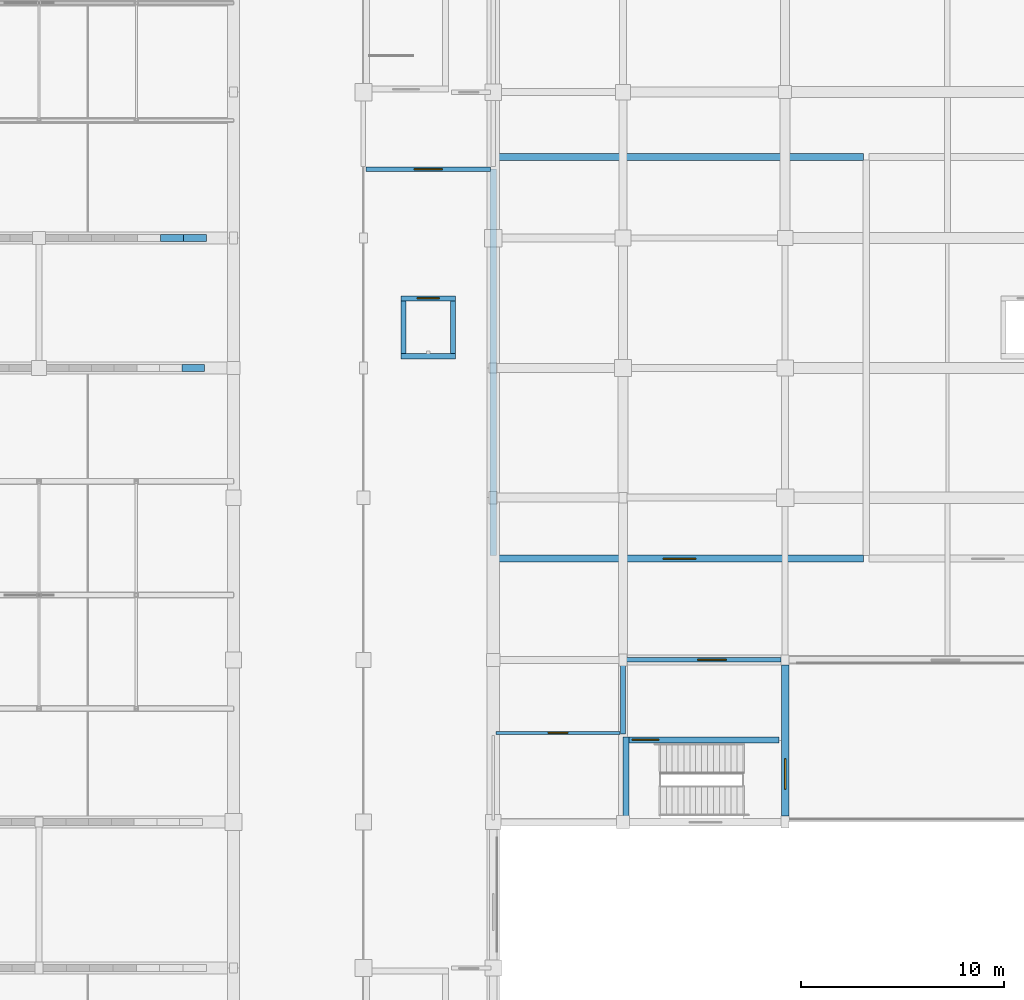
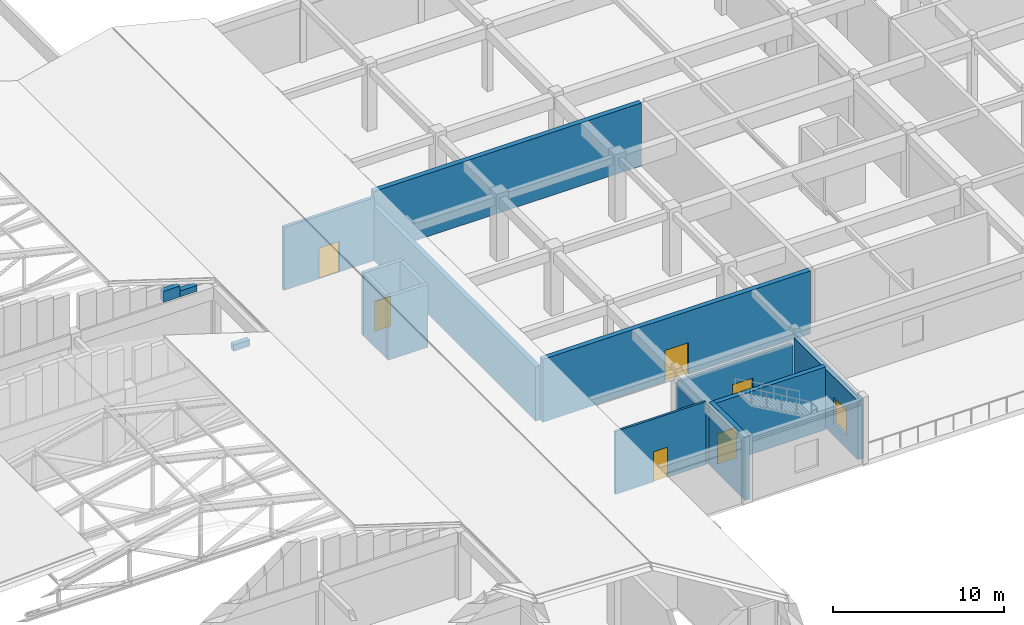
# One storey, part 46 of 61: 17 walls, 6 doors, 1 window, 7 openings.
"""IFC4 building model written with IfcOpenShell, lengths in metres."""

from ifc_helpers import new_model, si_unit, direction, frame, frame_2d, origin, place, context, subcontext, project, spatial, rectangle, extrude, material, layer, layer_set, type_object, element, fill, save


model = new_model("IFC4")

# Units and contexts
model_context = context("Model", 3, precision=1e-05, world=origin(), true_north=direction((0.0, 1.0)))
body_context = subcontext(model_context, "Body", "Model", "MODEL_VIEW")
ifc_project = project(units=[si_unit("LENGTHUNIT", "METRE"), si_unit("AREAUNIT", "SQUARE_METRE"), si_unit("VOLUMEUNIT", "CUBIC_METRE"), si_unit("PLANEANGLEUNIT", "RADIAN"), si_unit("MASSUNIT", "GRAM", prefix="KILO")], contexts=[model_context])

# Site, building, storey
site_placement = place(None, origin())
site = spatial("IfcSite", under=ifc_project, at=site_placement, CompositionType="ELEMENT")
building_placement = place(site_placement, origin())
building = spatial("IfcBuilding", under=site, at=building_placement, Name="Vellmiral Cinema and Media Centre", CompositionType="ELEMENT")
storey_placement = place(building_placement, frame((0.0, 0.0, 10.800048828125)))
storey = spatial("IfcBuildingStorey", under=building, at=storey_placement, Name="L02", CompositionType="ELEMENT", Elevation=10.800048828125)

# Wall, opening, door
ifc_material_1 = material(Name="Calcium-Silicate Masonry Blockwork", Category="masonry")
ifc_layer_1 = layer(ifc_material_1, 0.1201171875, Name="Calcium-Silicate Masonry Blockwork", Category="masonry")
ifc_material_2 = material(Name="Mineral Wool Acoustic Insulation", Category="insulation")
ifc_layer_2 = layer(ifc_material_2, 0.090087890625, Name="Mineral Wool Acoustic Insulation", Category="insulation")
ifc_layer_3 = layer(ifc_material_1, 0.1201171875, Name="Calcium-Silicate Masonry Blockwork", Category="masonry")
ifc_layer_set_1 = layer_set([ifc_layer_1, ifc_layer_2, ifc_layer_3], Name="Calcium-Silicate Masonry Blockwork")
wall_type_1 = type_object("IfcWallType", Name="WL-AC-330", PredefinedType="SOLIDWALL", material=ifc_layer_set_1)
wall_1_placement = place(storey_placement, frame((48.139892578125, 56.199951171875, 0.0), z_axis=(0.0, 0.0, 1.0), x_axis=(1.0, 0.0, 0.0)))
wall_1 = element("IfcWall", 1, at=wall_1_placement, inside=storey, type_object=wall_type_1, Name="Recording Studio 1 Wall S", PredefinedType="SOLIDWALL", context=body_context, shape_type="SweptSolid", body=[
    extrude(rectangle(XDim=18.1201171875, YDim=0.330078125, at=frame_2d((9.06005859375, 0.0))), origin(), (0.0, 0.0, 1.0), 4.5),
])
opening_1_placement = place(wall_1_placement, frame((8.260009765625, 0.0, 0.0)))
opening_1 = element("IfcOpeningElement", 2, at=opening_1_placement, cuts=wall_1, Name="Opening D-AC2", PredefinedType="OPENING", context=body_context, shape_type="SweptSolid", body=[
    extrude(rectangle(XDim=1.60009765625, YDim=2.25, at=frame_2d((0.800048828125, 1.125))), frame((0.0, 0.177001953125, 0.0), z_axis=(0.0, -1.0, 0.0), x_axis=(1.0, 0.0, 0.0)), (0.0, 0.0, 1.0), 0.35400390625),
])
ifc_material_3 = material(Name="Acoustic Cinema Door", Category="steel")
door_type_1 = type_object("IfcDoorType", Name="DR-AC-1600x2250", OperationType="DOUBLE_DOOR_SINGLE_SWING", PredefinedType="DOOR", material=ifc_material_3)
door_1_placement = place(opening_1_placement, frame((1.60009765625, 0.0, 0.0), z_axis=(0.0, 0.0, 1.0), x_axis=(-1.0, 0.0, 0.0)))
door_1 = element("IfcDoor", 3, at=door_1_placement, inside=storey, type_object=door_type_1, Name="Recording Studio 1 Door", OperationType="DOUBLE_DOOR_SINGLE_SWING", OverallHeight=2.25, OverallWidth=1.60009765625, PredefinedType="DOOR", context=body_context, shape_type="SweptSolid", body=[
    extrude(rectangle(XDim=1.60009765625, YDim=2.25, at=frame_2d((0.800048828125, 1.125))), frame((0.0, 0.02490234375, 0.0), z_axis=(0.0, -1.0, 0.0), x_axis=(1.0, 0.0, 0.0)), (0.0, 0.0, 1.0), 0.050048828125),
])
fill(opening_1, door_1)

# Walls
wall_2_placement = place(storey_placement, frame((48.139892578125, 76.0, 0.0), z_axis=(0.0, 0.0, 1.0), x_axis=(1.0, 0.0, 0.0)))
element("IfcWall", 4, at=wall_2_placement, inside=storey, type_object=wall_type_1, Name="Recording Studio 1 Wall N", PredefinedType="SOLIDWALL", context=body_context, shape_type="SweptSolid", body=[
    extrude(rectangle(XDim=18.1201171875, YDim=0.330078125, at=frame_2d((9.06005859375, 0.0))), origin(), (0.0, 0.0, 1.0), 4.5),
])
wall_3_placement = place(storey_placement, frame((48.0, 56.340087890625, 0.0), z_axis=(0.0, 0.0, 1.0), x_axis=(0.0, 1.0, 0.0)))
element("IfcWall", 5, at=wall_3_placement, inside=storey, type_object=wall_type_1, Name="Recording Studio 1 Wall W", PredefinedType="SOLIDWALL", context=body_context, shape_type="SweptSolid", body=[
    extrude(rectangle(XDim=19.059814453125, YDim=0.330078125, at=frame_2d((9.52978515625, 0.0))), origin(), (0.0, 0.0, 1.0), 3.89990234375),
])
ifc_material_4 = material(Name="Concrete C40/50", Category="concrete")
ifc_layer_4 = layer(ifc_material_4, 0.300048828125, Name="Concrete C40/50")
ifc_layer_set_2 = layer_set([ifc_layer_4], Name="Concrete C40/50")
wall_type_2 = type_object("IfcWallType", Name="WL-CORE-300", PredefinedType="SHEAR", material=ifc_layer_set_2)
wall_4_placement = place(storey_placement, frame((54.550048828125, 43.199951171875, 0.0), z_axis=(0.0, 0.0, 1.0), x_axis=(0.0, 1.0, 0.0)))
element("IfcWall", 6, at=wall_4_placement, inside=storey, type_object=wall_type_2, Name="Stair Core Wall ST-P3 L02-W", PredefinedType="SHEAR", context=body_context, shape_type="SweptSolid", body=[
    extrude(rectangle(XDim=4.199951171875, YDim=0.300048828125, at=frame_2d((2.10009765625, 0.0))), origin(), (0.0, 0.0, 1.0), 4.5),
])

# Wall, opening, door
wall_5_placement = place(storey_placement, frame((54.699951171875, 47.25, 0.0), z_axis=(0.0, 0.0, 1.0), x_axis=(1.0, 0.0, 0.0)))
wall_5 = element("IfcWall", 7, at=wall_5_placement, inside=storey, type_object=wall_type_2, Name="Stair Core Wall ST-P3 L02-N", PredefinedType="SHEAR", context=body_context, shape_type="SweptSolid", body=[
    extrude(rectangle(XDim=7.400146484375, YDim=0.300048828125, at=frame_2d((3.7001953125, 0.0))), origin(), (0.0, 0.0, 1.0), 4.5),
])
opening_2_placement = place(wall_5_placement, frame((0.159912109375, 0.0, 0.0)))
opening_2 = element("IfcOpeningElement", 8, at=opening_2_placement, cuts=wall_5, Name="Opening D-FD30A", PredefinedType="OPENING", context=body_context, shape_type="SweptSolid", body=[
    extrude(rectangle(XDim=1.300048828125, YDim=2.179931640625, at=frame_2d((0.64990234375, 1.08984375))), frame((0.0, 0.162109375, 0.0), z_axis=(0.0, -1.0, 0.0), x_axis=(1.0, 0.0, 0.0)), (0.0, 0.0, 1.0), 0.323974609375),
])
ifc_material_5 = material(Name="Steel Stair Fire Door", Category="steel")
door_type_2 = type_object("IfcDoorType", Name="DR-FD30-1300x2180", OperationType="NOTDEFINED", PredefinedType="DOOR", material=ifc_material_5)
door_2_placement = place(opening_2_placement, frame((1.300048828125, 0.0, 0.0), z_axis=(0.0, 0.0, 1.0), x_axis=(-1.0, 0.0, 0.0)))
door_2 = element("IfcDoor", 9, at=door_2_placement, inside=storey, type_object=door_type_2, Name="Protected Stair Door ST-P3 L02", OperationType="SINGLE_SWING_RIGHT", OverallHeight=2.179931640625, OverallWidth=1.300048828125, PredefinedType="DOOR", context=body_context, shape_type="SweptSolid", body=[
    extrude(rectangle(XDim=1.300048828125, YDim=2.179931640625, at=frame_2d((0.64990234375, 1.08984375))), frame((0.0, 0.02490234375, 0.0), z_axis=(0.0, -1.0, 0.0), x_axis=(1.0, 0.0, 0.0)), (0.0, 0.0, 1.0), 0.050048828125),
])
fill(opening_2, door_2)

# Walls
ifc_material_6 = material(Name="Vosges Red Sandstone Masonry", Category="masonry")
ifc_layer_5 = layer(ifc_material_6, 0.340087890625, Name="Vosges Red Sandstone Masonry")
ifc_layer_set_3 = layer_set([ifc_layer_5], Name="Vosges Red Sandstone Masonry")
wall_type_3 = type_object("IfcWallType", Name="WL-EXT-SAND-340", PredefinedType="SOLIDWALL", material=ifc_layer_set_3)
wall_6_placement = place(storey_placement, frame((32.64990234375, 65.60009765625, 4.800048828125), z_axis=(0.0, 0.0, 1.0), x_axis=(1.0, 0.0, 0.0)))
element("IfcWall", 10, at=wall_6_placement, inside=storey, type_object=wall_type_3, Name="Cinema Screen 2 Gable End Wall N-22", PredefinedType="SOLIDWALL", context=body_context, shape_type="SweptSolid", body=[
    extrude(rectangle(XDim=1.112548828125, YDim=0.340087890625, at=frame_2d((0.55615234375, 0.0))), origin(), (0.0, 0.0, 1.0), 0.453125),
])
wall_7_placement = place(storey_placement, frame((31.596923828125, 72.0, 4.800048828125), z_axis=(0.0, 0.0, 1.0), x_axis=(1.0, 0.0, 0.0)))
element("IfcWall", 11, at=wall_7_placement, inside=storey, type_object=wall_type_3, Name="Cinema Screen 3 Gable End Wall S-21", PredefinedType="SOLIDWALL", context=body_context, shape_type="SweptSolid", body=[
    extrude(rectangle(XDim=1.13427734375, YDim=0.340087890625, at=frame_2d((0.567138671875, 0.0))), origin(), (0.0, 0.0, 1.0), 0.7783203125),
])
wall_8_placement = place(storey_placement, frame((32.731201171875, 72.0, 4.800048828125), z_axis=(0.0, 0.0, 1.0), x_axis=(1.0, 0.0, 0.0)))
element("IfcWall", 12, at=wall_8_placement, inside=storey, type_object=wall_type_3, Name="Cinema Screen 3 Gable End Wall S-22", PredefinedType="SOLIDWALL", context=body_context, shape_type="SweptSolid", body=[
    extrude(rectangle(XDim=1.13427734375, YDim=0.340087890625, at=frame_2d((0.567138671875, 0.0))), origin(), (0.0, 0.0, 1.0), 0.420654296875),
])

# Wall, opening, window
ifc_material_7 = material(Name="Vosges Red Sandstone Masonry", Category="masonry")
ifc_layer_6 = layer(ifc_material_7, 0.3798828125, Name="Vosges Red Sandstone Masonry")
ifc_layer_set_4 = layer_set([ifc_layer_6], Name="Vosges Red Sandstone Masonry")
wall_type_4 = type_object("IfcWallType", Name="WL-EXT-SAND-380", PredefinedType="SOLIDWALL", material=ifc_layer_set_4)
wall_9_placement = place(storey_placement, frame((62.39990234375, 43.5, 0.0), z_axis=(0.0, 0.0, 1.0), x_axis=(0.0, 1.0, 0.0)))
wall_9 = element("IfcWall", 13, at=wall_9_placement, inside=storey, type_object=wall_type_4, Name="Exterior Facade Wall L02-011", PredefinedType="SOLIDWALL", context=body_context, shape_type="SweptSolid", body=[
    extrude(rectangle(XDim=7.449951171875, YDim=0.3798828125, at=frame_2d((3.72509765625, 0.0))), origin(), (0.0, 0.0, 1.0), 4.195068359375),
])
opening_3_placement = place(wall_9_placement, frame((1.324951171875, 0.0, 0.89990234375)))
opening_3 = element("IfcOpeningElement", 14, at=opening_3_placement, cuts=wall_9, Name="Opening WN-06", PredefinedType="OPENING", context=body_context, shape_type="SweptSolid", body=[
    extrude(rectangle(XDim=1.5, YDim=1.85009765625, at=frame_2d((0.75, 0.925048828125))), frame((0.0, 0.201904296875, 0.0), z_axis=(0.0, -1.0, 0.0), x_axis=(1.0, 0.0, 0.0)), (0.0, 0.0, 1.0), 0.40380859375),
])
ifc_material_8 = material(Name="Thermally Broken Aluminium Triple Glazing", Category="aluminium")
window_type = type_object("IfcWindowType", Name="WN-1500x1850", PartitioningType="SINGLE_PANEL", PredefinedType="WINDOW", material=ifc_material_8)
window_placement = place(opening_3_placement, origin())
window = element("IfcWindow", 15, at=window_placement, inside=storey, type_object=window_type, Name="Window L02-011", OverallHeight=1.85009765625, OverallWidth=1.5, PartitioningType="SINGLE_PANEL", PredefinedType="WINDOW", context=body_context, shape_type="SweptSolid", body=[
    extrude(rectangle(XDim=1.5, YDim=1.85009765625, at=frame_2d((0.75, 0.925048828125))), frame((0.0, 0.030029296875, 0.0), z_axis=(0.0, -1.0, 0.0), x_axis=(1.0, 0.0, 0.0)), (0.0, 0.0, 1.0), 0.06005859375),
])
fill(opening_3, window)

# Wall, opening, door
ifc_material_9 = material(Name="Concrete C40/50", Category="concrete")
ifc_layer_7 = layer(ifc_material_9, 0.22998046875, Name="Concrete C40/50")
ifc_layer_set_5 = layer_set([ifc_layer_7], Name="Concrete C40/50")
wall_type_5 = type_object("IfcWallType", Name="WL-FFL-230", PredefinedType="SOLIDWALL", material=ifc_layer_set_5)
wall_10_placement = place(storey_placement, frame((41.739990234375, 75.39990234375, 0.0), z_axis=(0.0, 0.0, 1.0), x_axis=(1.0, 0.0, 0.0)))
wall_10 = element("IfcWall", 16, at=wall_10_placement, inside=storey, type_object=wall_type_5, Name="Firefighting Stair Lobby ST-P2 Wall S", PredefinedType="SOLIDWALL", context=body_context, shape_type="SweptSolid", body=[
    extrude(rectangle(XDim=6.1201171875, YDim=0.22998046875, at=frame_2d((3.06005859375, 0.0))), origin(), (0.0, 0.0, 1.0), 4.5),
])
opening_4_placement = place(wall_10_placement, frame((2.360107421875, 0.0, 0.0)))
opening_4 = element("IfcOpeningElement", 17, at=opening_4_placement, cuts=wall_10, Name="Opening D-FD60B", PredefinedType="OPENING", context=body_context, shape_type="SweptSolid", body=[
    extrude(rectangle(XDim=1.39990234375, YDim=2.199951171875, at=frame_2d((0.699951171875, 1.10009765625))), frame((0.0, 0.126953125, 0.0), z_axis=(0.0, -1.0, 0.0), x_axis=(1.0, 0.0, 0.0)), (0.0, 0.0, 1.0), 0.25390625),
])
ifc_material_10 = material(Name="Steel Fire Door", Category="steel")
door_type_3 = type_object("IfcDoorType", Name="DR-FD60-1400x2200", OperationType="NOTDEFINED", PredefinedType="DOOR", material=ifc_material_10)
door_3_placement = place(opening_4_placement, origin())
door_3 = element("IfcDoor", 18, at=door_3_placement, inside=storey, type_object=door_type_3, Name="Firefighting Stair Lobby ST-P2 Door", OperationType="SINGLE_SWING_LEFT", OverallHeight=2.199951171875, OverallWidth=1.39990234375, PredefinedType="DOOR", context=body_context, shape_type="SweptSolid", body=[
    extrude(rectangle(XDim=1.39990234375, YDim=2.199951171875, at=frame_2d((0.699951171875, 1.10009765625))), frame((0.0, 0.02490234375, 0.0), z_axis=(0.0, -1.0, 0.0), x_axis=(1.0, 0.0, 0.0)), (0.0, 0.0, 1.0), 0.050048828125),
])
fill(opening_4, door_3)

wall_11_placement = place(storey_placement, frame((54.5400390625, 51.199951171875, 0.0), z_axis=(0.0, 0.0, 1.0), x_axis=(1.0, 0.0, 0.0)))
wall_11 = element("IfcWall", 19, at=wall_11_placement, inside=storey, type_object=wall_type_5, Name="Firefighting Stair Lobby ST-P3 Wall N", PredefinedType="SOLIDWALL", context=body_context, shape_type="SweptSolid", body=[
    extrude(rectangle(XDim=7.655029296875, YDim=0.22998046875, at=frame_2d((3.82763671875, 0.0))), origin(), (0.0, 0.0, 1.0), 3.695068359375),
])
opening_5_placement = place(wall_11_placement, frame((3.56005859375, 0.0, 0.0)))
opening_5 = element("IfcOpeningElement", 20, at=opening_5_placement, cuts=wall_11, Name="Opening D-FD60B", PredefinedType="OPENING", context=body_context, shape_type="SweptSolid", body=[
    extrude(rectangle(XDim=1.39990234375, YDim=2.199951171875, at=frame_2d((0.699951171875, 1.10009765625))), frame((0.0, 0.126953125, 0.0), z_axis=(0.0, -1.0, 0.0), x_axis=(1.0, 0.0, 0.0)), (0.0, 0.0, 1.0), 0.25390625),
])
door_4_placement = place(opening_5_placement, frame((1.39990234375, 0.0, 0.0), z_axis=(0.0, 0.0, 1.0), x_axis=(-1.0, 0.0, 0.0)))
door_4 = element("IfcDoor", 21, at=door_4_placement, inside=storey, type_object=door_type_3, Name="Firefighting Stair Lobby ST-P3 Door", OperationType="SINGLE_SWING_LEFT", OverallHeight=2.199951171875, OverallWidth=1.39990234375, PredefinedType="DOOR", context=body_context, shape_type="SweptSolid", body=[
    extrude(rectangle(XDim=1.39990234375, YDim=2.199951171875, at=frame_2d((0.699951171875, 1.10009765625))), frame((0.0, 0.02490234375, 0.0), z_axis=(0.0, -1.0, 0.0), x_axis=(1.0, 0.0, 0.0)), (0.0, 0.0, 1.0), 0.050048828125),
])
fill(opening_5, door_4)

# Wall
wall_12_placement = place(storey_placement, frame((54.39990234375, 47.5400390625, 0.0), z_axis=(0.0, 0.0, 1.0), x_axis=(0.0, 1.0, 0.0)))
element("IfcWall", 22, at=wall_12_placement, inside=storey, type_object=wall_type_5, Name="Firefighting Stair Lobby ST-P3 Wall W", PredefinedType="SOLIDWALL", context=body_context, shape_type="SweptSolid", body=[
    extrude(rectangle(XDim=3.52001953125, YDim=0.22998046875, at=frame_2d((1.760009765625, 0.0))), origin(), (0.0, 0.0, 1.0), 3.744873046875),
])

# Wall, opening, door
ifc_material_11 = material(Name="Gypsum Plasterboard")
ifc_layer_8 = layer(ifc_material_11, 0.02490234375, Name="Gypsum Plasterboard", Category="gypsum")
ifc_material_12 = material(Name="Mineral Wool Acoustic Insulation", Category="insulation")
ifc_layer_9 = layer(ifc_material_12, 0.10009765625, Name="Mineral Wool Acoustic Insulation", Category="insulation")
ifc_layer_10 = layer(ifc_material_11, 0.02490234375, Name="Gypsum Plasterboard", Category="gypsum")
ifc_layer_set_6 = layer_set([ifc_layer_8, ifc_layer_9, ifc_layer_10], Name="Gypsum Plasterboard")
wall_type_6 = type_object("IfcWallType", Name="WL-PART-150", PredefinedType="PARTITIONING", material=ifc_layer_set_6)
wall_13_placement = place(storey_placement, frame((48.139892578125, 47.60009765625, 0.0), z_axis=(0.0, 0.0, 1.0), x_axis=(1.0, 0.0, 0.0)))
wall_13 = element("IfcWall", 23, at=wall_13_placement, inside=storey, type_object=wall_type_6, Name="L02 Public WC Wall N", PredefinedType="PARTITIONING", context=body_context, shape_type="SweptSolid", body=[
    extrude(rectangle(XDim=6.1201171875, YDim=0.14990234375, at=frame_2d((3.06005859375, 0.0))), origin(), (0.0, 0.0, 1.0), 4.5),
])
opening_6_placement = place(wall_13_placement, frame((2.5849609375, 0.0, 0.0)))
opening_6 = element("IfcOpeningElement", 24, at=opening_6_placement, cuts=wall_13, Name="Opening D-I09", PredefinedType="OPENING", context=body_context, shape_type="SweptSolid", body=[
    extrude(rectangle(XDim=0.949951171875, YDim=2.14990234375, at=frame_2d((0.47509765625, 1.074951171875))), frame((0.0, 0.0869140625, 0.0), z_axis=(0.0, -1.0, 0.0), x_axis=(1.0, 0.0, 0.0)), (0.0, 0.0, 1.0), 0.173828125),
])
ifc_material_13 = material(Name="Moisture-Resistant Timber Door", Category="wood")
door_type_4 = type_object("IfcDoorType", Name="DR-INT-950x2150", OperationType="NOTDEFINED", PredefinedType="DOOR", material=ifc_material_13)
door_5_placement = place(opening_6_placement, frame((0.949951171875, 0.0, 0.0), z_axis=(0.0, 0.0, 1.0), x_axis=(-1.0, 0.0, 0.0)))
door_5 = element("IfcDoor", 25, at=door_5_placement, inside=storey, type_object=door_type_4, Name="L02 Public WC Door", OperationType="SINGLE_SWING_RIGHT", OverallHeight=2.14990234375, OverallWidth=0.949951171875, PredefinedType="DOOR", context=body_context, shape_type="SweptSolid", body=[
    extrude(rectangle(XDim=0.949951171875, YDim=2.14990234375, at=frame_2d((0.47509765625, 1.074951171875))), frame((0.0, 0.02490234375, 0.0), z_axis=(0.0, -1.0, 0.0), x_axis=(1.0, 0.0, 0.0)), (0.0, 0.0, 1.0), 0.050048828125),
])
fill(opening_6, door_5)

# Wall
ifc_material_14 = material(Name="Concrete C40/50", Category="concrete")
ifc_layer_11 = layer(ifc_material_14, 0.25, Name="Concrete C40/50")
ifc_layer_set_7 = layer_set([ifc_layer_11], Name="Concrete C40/50")
wall_type_7 = type_object("IfcWallType", Name="WL-SHAFT-250", PredefinedType="SHEAR", material=ifc_layer_set_7)
wall_14_placement = place(storey_placement, frame((43.449951171875, 66.175048828125, 0.0), z_axis=(0.0, 0.0, 1.0), x_axis=(1.0, 0.0, 0.0)))
element("IfcWall", 26, at=wall_14_placement, inside=storey, type_object=wall_type_7, Name="Lift Shaft Wall LF-C1 L02-S", PredefinedType="SHEAR", context=body_context, shape_type="SweptSolid", body=[
    extrude(rectangle(XDim=2.699951171875, YDim=0.25, at=frame_2d((1.35009765625, 0.0))), origin(), (0.0, 0.0, 1.0), 4.5),
])

# Wall, opening, door
wall_15_placement = place(storey_placement, frame((43.449951171875, 69.02490234375, 0.0), z_axis=(0.0, 0.0, 1.0), x_axis=(1.0, 0.0, 0.0)))
wall_15 = element("IfcWall", 27, at=wall_15_placement, inside=storey, type_object=wall_type_7, Name="Lift Shaft Wall LF-C1 L02-N", PredefinedType="SHEAR", context=body_context, shape_type="SweptSolid", body=[
    extrude(rectangle(XDim=2.699951171875, YDim=0.25, at=frame_2d((1.35009765625, 0.0))), origin(), (0.0, 0.0, 1.0), 4.5),
])
opening_7_placement = place(wall_15_placement, frame((0.800048828125, 0.0, 0.0)))
opening_7 = element("IfcOpeningElement", 28, at=opening_7_placement, cuts=wall_15, Name="Opening LD-01", PredefinedType="OPENING", context=body_context, shape_type="SweptSolid", body=[
    extrude(rectangle(XDim=1.10009765625, YDim=2.14990234375, at=frame_2d((0.550048828125, 1.074951171875))), frame((0.0, 0.136962890625, 0.0), z_axis=(0.0, -1.0, 0.0), x_axis=(1.0, 0.0, 0.0)), (0.0, 0.0, 1.0), 0.27392578125),
])
ifc_material_15 = material(Name="Stainless Steel Lift Landing Door", Category="steel")
door_type_5 = type_object("IfcDoorType", Name="DR-LIFT-1100x2150", OperationType="SLIDING_TO_LEFT", PredefinedType="DOOR", material=ifc_material_15)
door_6_placement = place(opening_7_placement, origin())
door_6 = element("IfcDoor", 29, at=door_6_placement, inside=storey, type_object=door_type_5, Name="Lift Landing Door LF-C1 L02", OperationType="SLIDING_TO_LEFT", OverallHeight=2.14990234375, OverallWidth=1.10009765625, PredefinedType="DOOR", context=body_context, shape_type="SweptSolid", body=[
    extrude(rectangle(XDim=1.10009765625, YDim=2.14990234375, at=frame_2d((0.550048828125, 1.074951171875))), frame((0.0, 0.02490234375, 0.0), z_axis=(0.0, -1.0, 0.0), x_axis=(1.0, 0.0, 0.0)), (0.0, 0.0, 1.0), 0.050048828125),
])
fill(opening_7, door_6)

# Walls
for number, where, z_axis, x_axis, name in (
    (30, (43.574951171875, 66.300048828125, 0.0), (0.0, 0.0, 1.0), (0.0, 1.0, 0.0), "Lift Shaft Wall LF-C1 L02-W"),
    (31, (46.02490234375, 66.300048828125, 0.0), (0.0, 0.0, 1.0), (0.0, 1.0, 0.0), "Lift Shaft Wall LF-C1 L02-E"),
):
    element("IfcWall", number, at=place(storey_placement, frame(where, z_axis=z_axis, x_axis=x_axis)), inside=storey, type_object=wall_type_7, Name=name, PredefinedType="SHEAR", context=body_context, shape_type="SweptSolid", body=[
        extrude(rectangle(XDim=2.599853515625, YDim=0.25, at=frame_2d((1.2998046875, 0.0))), origin(), (0.0, 0.0, 1.0), 4.5),
    ])

save(model, "model.ifc")
